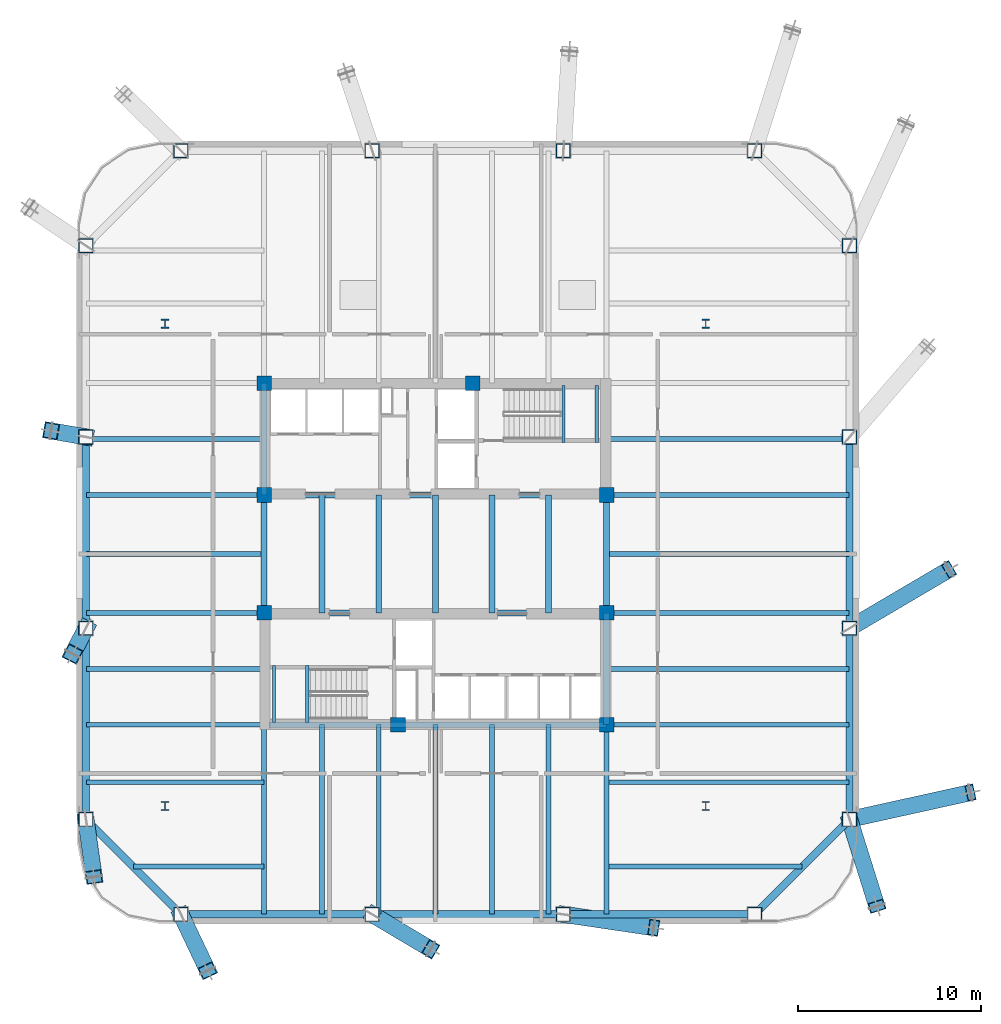
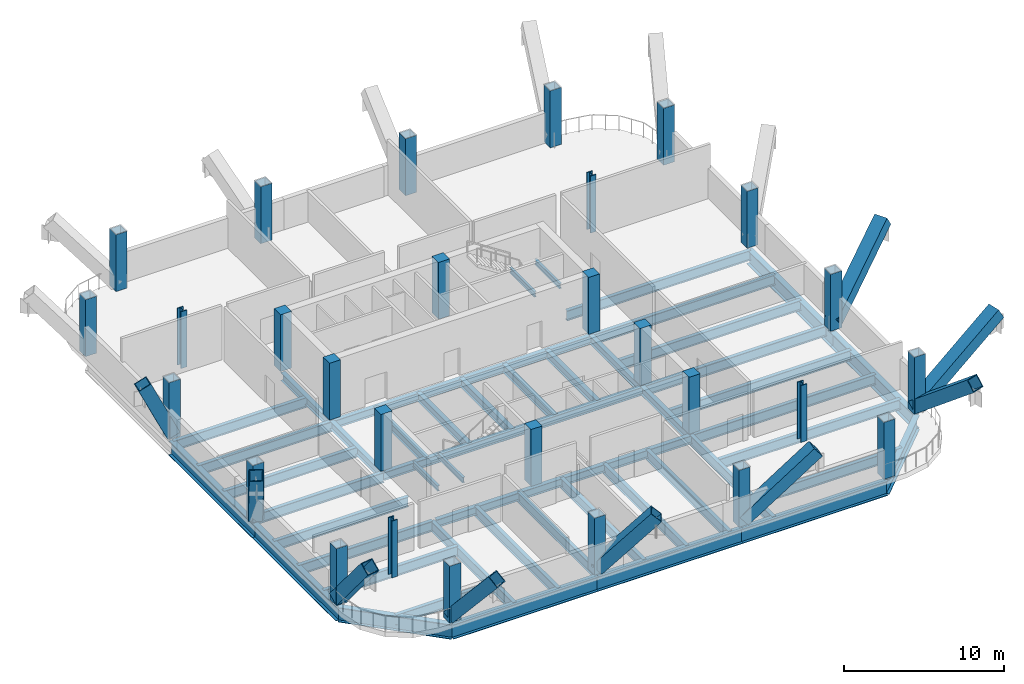
# One storey, part 1 of 8: 48 beams, 28 columns, 9 members.
"""IFC4 building model written with IfcOpenShell, lengths in metres."""

import ifcopenshell
import ifcopenshell.guid

model = None  # the IFC model being written
_history = None  # IfcOwnerHistory: only IFC2X3 demands one
_inside = {}  # id of a spatial element -> (the spatial element, [elements in it])
_under = {}  # id of a project, library or spatial element -> (it, [spatial elements below it])
_declared = {}  # id of a project -> (the project, [libraries it declares])
_typed = {}  # id of a type object -> (the type object, [elements of that type])
_made_of = {}  # id of a material, layer set ... -> (it, [elements and type objects made of it])


def new_model(schema):
    """Start an empty IFC model of exactly this schema.

    Asked for "IFC4X3", IfcOpenShell would pick the latest addendum, in which some entities
    have other attributes; the version numbers below select the first issue.
    IFC2X3 requires an IfcOwnerHistory on every rooted entity: one is made here for all.
    """
    global model, _history
    if schema == "IFC4X3":
        model = ifcopenshell.file(schema_version=(4, 3, 0, 0))
    else:
        model = ifcopenshell.file(schema=schema)
    _inside.clear()
    _under.clear()
    _declared.clear()
    _typed.clear()
    _made_of.clear()
    _history = None
    if model.schema == "IFC2X3":
        org = make("IfcOrganization", Name="unknown")
        user = make(
            "IfcPersonAndOrganization",
            ThePerson=make("IfcPerson", FamilyName="unknown"),
            TheOrganization=org,
        )
        app = make(
            "IfcApplication",
            ApplicationDeveloper=org,
            Version="unknown",
            ApplicationFullName="unknown",
            ApplicationIdentifier="unknown",
        )
        _history = make(
            "IfcOwnerHistory",
            OwningUser=user,
            OwningApplication=app,
            ChangeAction="ADDED",
            CreationDate=0,
        )
    return model


def make(cls, **values):
    """One entity of the class cls with the attributes given. An attribute that is None is left unset."""
    return model.create_entity(
        cls, **{name: value for name, value in values.items() if value is not None}
    )


def rooted(cls, **values):
    """An entity with a GlobalId (a new one), such as an element, a storey or a relation."""
    return make(cls, GlobalId=ifcopenshell.guid.new(), OwnerHistory=_history, **values)


def si_unit(unit_type, name, prefix=None):
    """IfcSIUnit, for example si_unit("LENGTHUNIT", "METRE", prefix="MILLI")."""
    return make("IfcSIUnit", UnitType=unit_type, Prefix=prefix, Name=name)


def assignment(units):
    """IfcUnitAssignment: the units of a project."""
    return None if units is None else make("IfcUnitAssignment", Units=units)


def point(xyz):
    """IfcCartesianPoint."""
    return None if xyz is None else make("IfcCartesianPoint", Coordinates=xyz)


def direction(xyz):
    """IfcDirection."""
    return None if xyz is None else make("IfcDirection", DirectionRatios=xyz)


def frame(location, z_axis=None, x_axis=None):
    """IfcAxis2Placement3D, a coordinate frame: its origin and axes. An axis left out is left unset."""
    return make(
        "IfcAxis2Placement3D",
        Location=point(location),
        Axis=direction(z_axis),
        RefDirection=direction(x_axis),
    )


def frame_2d(location, x_axis=None):
    """IfcAxis2Placement2D, a coordinate frame in the plane: its origin and x axis."""
    return make(
        "IfcAxis2Placement2D", Location=point(location), RefDirection=direction(x_axis)
    )


def origin():
    """The frame at (0, 0, 0) with its axes left unset."""
    return frame((0.0, 0.0, 0.0))


def origin_2d():
    """The frame at (0, 0) in the plane with its x axis left unset."""
    return frame_2d((0.0, 0.0))


def place(relative_to, where):
    """IfcLocalPlacement: puts the frame where relative to a parent placement (None: the world)."""
    return make(
        "IfcLocalPlacement", PlacementRelTo=relative_to, RelativePlacement=where
    )


def context(
    kind, dimensions, precision=None, world=None, true_north=None, identifier=None
):
    """IfcGeometricRepresentationContext, for example the 3D "Model" context."""
    return make(
        "IfcGeometricRepresentationContext",
        ContextIdentifier=identifier,
        ContextType=kind,
        CoordinateSpaceDimension=dimensions,
        Precision=precision,
        WorldCoordinateSystem=world,
        TrueNorth=true_north,
    )


def subcontext(parent, identifier, kind, view, scale=None):
    """IfcGeometricRepresentationSubContext, for example "Body" below "Model"."""
    return make(
        "IfcGeometricRepresentationSubContext",
        ContextIdentifier=identifier,
        ContextType=kind,
        ParentContext=parent,
        TargetScale=scale,
        TargetView=view,
    )


def project(units=None, contexts=None):
    """IfcProject with its units and contexts."""
    return rooted(
        "IfcProject",
        Name="project",
        RepresentationContexts=contexts,
        UnitsInContext=assignment(units),
    )


def spatial(cls, under=None, at=None, **own):
    """A site, building, storey or space (cls), placed at a placement, below another one or the project."""
    s = rooted(cls, ObjectPlacement=at, **own)
    if under is not None:
        _under.setdefault(under.id(), (under, []))[1].append(s)
    return s


def profile(cls, at=None, kind="AREA", **sizes):
    """A parametric profile (cls). Its sizes go by their IFC names, for example OverallWidth=200.0."""
    return make(cls, ProfileType=kind, Position=at, **sizes)


def rectangle(**sizes):
    """IfcRectangleProfileDef."""
    return profile("IfcRectangleProfileDef", **sizes)


def hollow_rectangle(**sizes):
    """IfcRectangleHollowProfileDef."""
    return profile("IfcRectangleHollowProfileDef", **sizes)


def i_section(**sizes):
    """IfcIShapeProfileDef."""
    return profile("IfcIShapeProfileDef", **sizes)


def extrude(swept, where, along, depth):
    """IfcExtrudedAreaSolid: the profile swept, set in the frame where, extruded along a direction by depth."""
    return make(
        "IfcExtrudedAreaSolid",
        SweptArea=swept,
        Position=where,
        ExtrudedDirection=direction(along),
        Depth=depth,
    )


def shape(context_of_items, identifier, shape_type, items):
    """IfcShapeRepresentation: the items that make up one representation, for example the "Body"."""
    return make(
        "IfcShapeRepresentation",
        ContextOfItems=context_of_items,
        RepresentationIdentifier=identifier,
        RepresentationType=shape_type,
        Items=items,
    )


def material(Name=None, Category=None):
    """IfcMaterial."""
    return make("IfcMaterial", Name=Name, Category=Category)


def material_profile(
    of_material, cross_section, Name=None, Category=None, Priority=None
):
    """IfcMaterialProfile: a cross section and its material."""
    return make(
        "IfcMaterialProfile",
        Name=Name,
        Material=of_material,
        Profile=cross_section,
        Priority=Priority,
        Category=Category,
    )


def profile_set(profiles, Name=None, composite=None):
    """IfcMaterialProfileSet."""
    return make(
        "IfcMaterialProfileSet",
        Name=Name,
        MaterialProfiles=profiles,
        CompositeProfile=composite,
    )


def made_of(thing, what):
    """Note that an element or type object is made of a material, layer set ...; save() writes the relation."""
    if what is not None:
        _made_of.setdefault(what.id(), (what, []))[1].append(thing)
    return thing


def type_object(cls, material=None, **own):
    """A type object (cls), such as IfcWallType, which elements share."""
    return made_of(rooted(cls, **own), material)


def element(
    cls,
    number,
    at=None,
    inside=None,
    cuts=None,
    type_object=None,
    material=None,
    context=None,
    identifier="Body",
    shape_type=None,
    held_by="IfcProductDefinitionShape",
    body=None,
    shapes=None,
    **own,
):
    """One element of the class cls, such as IfcWall. Its Tag is "e" and its number.

    at: its placement. inside: the storey or other place that contains it. cuts: it is an
    opening in that element (IfcRelVoidsElement). A single representation is given by context,
    identifier, shape_type and body (its items); several are given by shapes. held_by: the class
    of the entity that holds the representations. save() writes the other relations.
    """
    e = rooted(cls, Tag="e%d" % number, ObjectPlacement=at, **own)
    if body is not None:
        shapes = [shape(context, identifier, shape_type, body)]
    if shapes is not None:
        e.Representation = make(held_by, Representations=shapes)
    if inside is not None:
        _inside.setdefault(inside.id(), (inside, []))[1].append(e)
    if cuts is not None:
        rooted(
            "IfcRelVoidsElement", RelatingBuildingElement=cuts, RelatedOpeningElement=e
        )
    if type_object is not None:
        _typed.setdefault(type_object.id(), (type_object, []))[1].append(e)
    return made_of(e, material)


def aggregate(whole, parts):
    """IfcRelAggregates: a whole, such as a stair, and the parts it consists of."""
    return rooted("IfcRelAggregates", RelatingObject=whole, RelatedObjects=parts)


def save(model, path):
    """Write the relations noted so far, then the file.

    IfcRelAggregates (storeys below a building ...), IfcRelContainedInSpatialStructure (elements
    in a storey), IfcRelDefinesByType, IfcRelAssociatesMaterial and IfcRelDeclares: one each for
    every whole, place, type object, material and project.
    """
    for whole, parts in _under.values():
        aggregate(whole, parts)
    for where, things in _inside.values():
        rooted(
            "IfcRelContainedInSpatialStructure",
            RelatedElements=things,
            RelatingStructure=where,
        )
    for kind, things in _typed.values():
        rooted("IfcRelDefinesByType", RelatedObjects=things, RelatingType=kind)
    for what, things in _made_of.values():
        rooted("IfcRelAssociatesMaterial", RelatedObjects=things, RelatingMaterial=what)
    for by, libraries in _declared.values():
        rooted("IfcRelDeclares", RelatingContext=by, RelatedDefinitions=libraries)
    model.write(path)


model = new_model("IFC4")

# Units and contexts
model_context = context("Model", 3, precision=1e-05, world=origin(), true_north=direction((0.0, 1.0)))
body_context = subcontext(model_context, "Body", "Model", "MODEL_VIEW")
ifc_project = project(units=[si_unit("LENGTHUNIT", "METRE"), si_unit("AREAUNIT", "SQUARE_METRE"), si_unit("VOLUMEUNIT", "CUBIC_METRE"), si_unit("PLANEANGLEUNIT", "RADIAN"), si_unit("MASSUNIT", "GRAM", prefix="KILO")], contexts=[model_context])

# Site, building, storey
site_placement = place(None, origin())
site = spatial("IfcSite", under=ifc_project, at=site_placement, CompositionType="ELEMENT")
building_placement = place(site_placement, origin())
building = spatial("IfcBuilding", under=site, at=building_placement, Name="Qhalaya Broadcast Tower", CompositionType="ELEMENT")
storey_placement = place(building_placement, frame((0.0, 0.0, 65.10009765625)))
storey = spatial("IfcBuildingStorey", under=building, at=storey_placement, Name="L18", CompositionType="ELEMENT", Elevation=65.10009765625)

# Columns
ifc_material_1 = material(Name="Concrete C50/60", Category="concrete")
ifc_material_profile_1 = material_profile(ifc_material_1, rectangle(XDim=0.800048828125, YDim=0.800048828125, at=origin_2d()), Name="RC-COL 800x800")
ifc_profile_set_1 = profile_set([ifc_material_profile_1], Name="Concrete C50/60")
column_type_1 = type_object("IfcColumnType", Name="RC Upper Column C10", PredefinedType="COLUMN", material=ifc_profile_set_1)
for number, where, z_axis, x_axis, name in (
    (1, (-9.375, 9.949951171875, 0.0), (0.0, 0.0, 1.0), (1.0, 0.0, 0.0), "L18 Column COL-CC1"),
    (2, (2.050048828125, 9.949951171875, 0.0), (0.0, 0.0, 1.0), (1.0, 0.0, 0.0), "L18 Column COL-CC2"),
    (3, (-9.375, 3.824951171875, 0.0), (0.0, 0.0, 1.0), (1.0, 0.0, 0.0), "L18 Column COL-CC3"),
    (4, (9.375, 3.824951171875, 0.0), (0.0, 0.0, 1.0), (1.0, 0.0, 0.0), "L18 Column COL-CC4"),
    (5, (-9.375, -2.625, 0.0), (0.0, 0.0, 1.0), (1.0, 0.0, 0.0), "L18 Column COL-CC5"),
    (6, (9.375, -2.625, 0.0), (0.0, 0.0, 1.0), (1.0, 0.0, 0.0), "L18 Column COL-CC6"),
    (7, (-2.050048828125, -8.75, 0.0), (0.0, 0.0, 1.0), (1.0, 0.0, 0.0), "L18 Column COL-CC7"),
    (8, (9.375, -8.75, 0.0), (0.0, 0.0, 1.0), (1.0, 0.0, 0.0), "L18 Column COL-CC8"),
):
    element("IfcColumn", number, at=place(storey_placement, frame(where, z_axis=z_axis, x_axis=x_axis)), inside=storey, type_object=column_type_1, Name=name, PredefinedType="COLUMN", context=body_context, shape_type="SweptSolid", body=[
        extrude(rectangle(XDim=0.800048828125, YDim=0.800048828125, at=origin_2d()), origin(), (0.0, 0.0, 1.0), 4.349853515625),
    ])
ifc_material_2 = material(Name="Structural Steel ASTM A992 Grade 50", Category="steel")
ifc_material_profile_2 = material_profile(ifc_material_2, i_section(OverallWidth=0.41796875, OverallDepth=0.510009765625, WebThickness=0.0419921875, FlangeThickness=0.067626953125, at=origin_2d()), Name="W14X370")
ifc_profile_set_2 = profile_set([ifc_material_profile_2], Name="Structural Steel ASTM A992 Grade 50")
column_type_2 = type_object("IfcColumnType", Name="Rolled Gravity Column C06", PredefinedType="COLUMN", material=ifc_profile_set_2)
for number, where, z_axis, x_axis, name in (
    (9, (-14.800048828125, -13.199951171875, 0.0), (0.0, 0.0, 1.0), (1.0, 0.0, 0.0), "L18 Column COL-GR1"),
    (10, (14.800048828125, -13.199951171875, 0.0), (0.0, 0.0, 1.0), (1.0, 0.0, 0.0), "L18 Column COL-GR2"),
    (11, (-14.800048828125, 13.199951171875, 0.0), (0.0, 0.0, 1.0), (1.0, 0.0, 0.0), "L18 Column COL-GR3"),
    (12, (14.800048828125, 13.199951171875, 0.0), (0.0, 0.0, 1.0), (1.0, 0.0, 0.0), "L18 Column COL-GR4"),
):
    element("IfcColumn", number, at=place(storey_placement, frame(where, z_axis=z_axis, x_axis=x_axis)), inside=storey, type_object=column_type_2, Name=name, PredefinedType="COLUMN", context=body_context, shape_type="SweptSolid", body=[
        extrude(i_section(OverallWidth=0.41796875, OverallDepth=0.510009765625, WebThickness=0.0419921875, FlangeThickness=0.067626953125, at=origin_2d()), origin(), (0.0, 0.0, 1.0), 4.349853515625),
    ])
ifc_material_3 = material(Name="Structural Steel ASTM A572 Grade 50", Category="steel")
ifc_material_profile_3 = material_profile(ifc_material_3, hollow_rectangle(XDim=0.800048828125, YDim=0.800048828125, WallThickness=0.050048828125, at=origin_2d()), Name="BOX 800x800x50")
ifc_profile_set_3 = profile_set([ifc_material_profile_3], Name="Structural Steel ASTM A572 Grade 50")
column_type_3 = type_object("IfcColumnType", Name="Steel Box Column C03", PredefinedType="COLUMN", material=ifc_profile_set_3)
for number, where, z_axis, x_axis, name in (
    (13, (-13.929931640625, -19.1298828125, 0.0), (0.0, 0.0, 1.0), (1.0, 0.0, 0.0), "L18 Column COL-NK01"),
    (14, (-3.46337890625, -19.1298828125, 0.0), (0.0, 0.0, 1.0), (1.0, 0.0, 0.0), "L18 Column COL-NK02"),
    (15, (7.00341796875, -19.1298828125, 0.0), (0.0, 0.0, 1.0), (1.0, 0.0, 0.0), "L18 Column COL-NK03"),
    (16, (17.469970703125, -19.1298828125, 0.0), (0.0, 0.0, 1.0), (1.0, 0.0, 0.0), "L18 Column COL-NK04"),
    (17, (22.669921875, -13.929931640625, 0.0), (0.0, 0.0, 1.0), (0.0, 1.0, 0.0), "L18 Column COL-NK05"),
    (18, (22.669921875, -3.46337890625, 0.0), (0.0, 0.0, 1.0), (0.0, 1.0, 0.0), "L18 Column COL-NK06"),
    (19, (22.669921875, 7.00341796875, 0.0), (0.0, 0.0, 1.0), (0.0, 1.0, 0.0), "L18 Column COL-NK07"),
    (20, (22.669921875, 17.469970703125, 0.0), (0.0, 0.0, 1.0), (0.0, 1.0, 0.0), "L18 Column COL-NK08"),
    (21, (17.469970703125, 22.669921875, 0.0), (0.0, 0.0, 1.0), (1.0, 0.0, 0.0), "L18 Column COL-NK09"),
    (22, (7.00341796875, 22.669921875, 0.0), (0.0, 0.0, 1.0), (1.0, 0.0, 0.0), "L18 Column COL-NK10"),
    (23, (-3.46337890625, 22.669921875, 0.0), (0.0, 0.0, 1.0), (1.0, 0.0, 0.0), "L18 Column COL-NK11"),
    (24, (-13.929931640625, 22.669921875, 0.0), (0.0, 0.0, 1.0), (1.0, 0.0, 0.0), "L18 Column COL-NK12"),
    (25, (-19.1298828125, 17.469970703125, 0.0), (0.0, 0.0, 1.0), (0.0, 1.0, 0.0), "L18 Column COL-NK13"),
    (26, (-19.1298828125, 7.00341796875, 0.0), (0.0, 0.0, 1.0), (0.0, 1.0, 0.0), "L18 Column COL-NK14"),
    (27, (-19.1298828125, -3.46337890625, 0.0), (0.0, 0.0, 1.0), (0.0, 1.0, 0.0), "L18 Column COL-NK15"),
    (28, (-19.1298828125, -13.929931640625, 0.0), (0.0, 0.0, 1.0), (0.0, 1.0, 0.0), "L18 Column COL-NK16"),
):
    element("IfcColumn", number, at=place(storey_placement, frame(where, z_axis=z_axis, x_axis=x_axis)), inside=storey, type_object=column_type_3, Name=name, PredefinedType="COLUMN", context=body_context, shape_type="SweptSolid", body=[
        extrude(hollow_rectangle(XDim=0.800048828125, YDim=0.800048828125, WallThickness=0.050048828125, at=origin_2d()), origin(), (0.0, 0.0, 1.0), 4.349853515625),
    ])

# Beams
ifc_material_profile_4 = material_profile(ifc_material_2, i_section(OverallWidth=0.323974609375, OverallDepth=0.612060546875, WebThickness=0.0126953125, FlangeThickness=0.01904296875, at=origin_2d()), Name="W24X104")
ifc_profile_set_4 = profile_set([ifc_material_profile_4], Name="Structural Steel ASTM A992 Grade 50")
beam_type_1 = type_object("IfcBeamType", Name="Core Frame Tie Beam B04", PredefinedType="BEAM", material=ifc_profile_set_4)
beam_1_placement = place(storey_placement, frame((-9.375, 3.824951171875, -0.68603515625), z_axis=(1.0, 0.0, 0.0), x_axis=(0.0, 1.0, 0.0)))
element("IfcBeam", 29, at=beam_1_placement, inside=storey, type_object=beam_type_1, Name="L18 B04 L18-CCN1", PredefinedType="BEAM", context=body_context, shape_type="SweptSolid", body=[
    extrude(i_section(OverallWidth=0.323974609375, OverallDepth=0.612060546875, WebThickness=0.0126953125, FlangeThickness=0.01904296875, at=origin_2d()), origin(), (0.0, 0.0, 1.0), 18.75),
])
beam_2_placement = place(storey_placement, frame((-9.375, 3.824951171875, -0.68603515625), z_axis=(0.0, 1.0, 0.0), x_axis=(-1.0, 0.0, 0.0)))
element("IfcBeam", 30, at=beam_2_placement, inside=storey, type_object=beam_type_1, Name="L18 B04 L18-CCN2", PredefinedType="BEAM", context=body_context, shape_type="SweptSolid", body=[
    extrude(i_section(OverallWidth=0.323974609375, OverallDepth=0.612060546875, WebThickness=0.0126953125, FlangeThickness=0.01904296875, at=origin_2d()), origin(), (0.0, 0.0, 1.0), 6.125),
])
beam_3_placement = place(storey_placement, frame((-9.375, -2.625, -0.68603515625), z_axis=(1.0, 0.0, 0.0), x_axis=(0.0, 1.0, 0.0)))
element("IfcBeam", 31, at=beam_3_placement, inside=storey, type_object=beam_type_1, Name="L18 B04 L18-CCS1", PredefinedType="BEAM", context=body_context, shape_type="SweptSolid", body=[
    extrude(i_section(OverallWidth=0.323974609375, OverallDepth=0.612060546875, WebThickness=0.0126953125, FlangeThickness=0.01904296875, at=origin_2d()), origin(), (0.0, 0.0, 1.0), 18.75),
])
beam_4_placement = place(storey_placement, frame((9.375, -8.75, -0.68603515625), z_axis=(0.0, 1.0, 0.0), x_axis=(-1.0, 0.0, 0.0)))
element("IfcBeam", 32, at=beam_4_placement, inside=storey, type_object=beam_type_1, Name="L18 B04 L18-CCS2", PredefinedType="BEAM", context=body_context, shape_type="SweptSolid", body=[
    extrude(i_section(OverallWidth=0.323974609375, OverallDepth=0.612060546875, WebThickness=0.0126953125, FlangeThickness=0.01904296875, at=origin_2d()), origin(), (0.0, 0.0, 1.0), 6.125),
])
beam_5_placement = place(storey_placement, frame((-9.1201171875, -8.75, -0.68603515625), z_axis=(1.0, 0.0, 0.0), x_axis=(0.0, 1.0, 0.0)))
element("IfcBeam", 33, at=beam_5_placement, inside=storey, type_object=beam_type_1, Name="L18 B04 L18-CCS3", PredefinedType="BEAM", context=body_context, shape_type="SweptSolid", body=[
    extrude(i_section(OverallWidth=0.323974609375, OverallDepth=0.612060546875, WebThickness=0.0126953125, FlangeThickness=0.01904296875, at=origin_2d()), origin(), (0.0, 0.0, 1.0), 18.4951171875),
])
for number, where, z_axis, x_axis, name in (
    (34, (-9.375, -2.625, -0.68603515625), (0.0, 1.0, 0.0), (-1.0, 0.0, 0.0), "L18 B04 L18-CCW"),
    (35, (9.375, -2.625, -0.68603515625), (0.0, 1.0, 0.0), (-1.0, 0.0, 0.0), "L18 B04 L18-CCE"),
    (36, (-6.199951171875, -2.625, -0.68603515625), (0.0, 1.0, 0.0), (-1.0, 0.0, 0.0), "L18 B04 L18-JC1-1"),
    (37, (-3.10009765625, -2.625, -0.68603515625), (0.0, 1.0, 0.0), (-1.0, 0.0, 0.0), "L18 B04 L18-JC2-1"),
    (38, (0.0, -2.625, -0.68603515625), (0.0, 1.0, 0.0), (-1.0, 0.0, 0.0), "L18 B04 L18-JC3-1"),
    (39, (3.10009765625, -2.625, -0.68603515625), (0.0, 1.0, 0.0), (-1.0, 0.0, 0.0), "L18 B04 L18-JC4-1"),
    (40, (6.199951171875, -2.625, -0.68603515625), (0.0, 1.0, 0.0), (-1.0, 0.0, 0.0), "L18 B04 L18-JC5-1"),
):
    element("IfcBeam", number, at=place(storey_placement, frame(where, z_axis=z_axis, x_axis=x_axis)), inside=storey, type_object=beam_type_1, Name=name, PredefinedType="BEAM", context=body_context, shape_type="SweptSolid", body=[
        extrude(i_section(OverallWidth=0.323974609375, OverallDepth=0.612060546875, WebThickness=0.0126953125, FlangeThickness=0.01904296875, at=origin_2d()), origin(), (0.0, 0.0, 1.0), 6.449951171875),
    ])

# Members
ifc_material_profile_5 = material_profile(ifc_material_3, hollow_rectangle(XDim=0.89990234375, YDim=0.89990234375, WallThickness=0.054931640625, at=origin_2d()), Name="BOX 900x900x55")
ifc_profile_set_5 = profile_set([ifc_material_profile_5], Name="Structural Steel ASTM A572 Grade 50")
member_type = type_object("IfcMemberType", Name="Heavy Exoskeleton Transfer Strut RK1", PredefinedType="BRACE", material=ifc_profile_set_5)
member_1_placement = place(storey_placement, frame((-13.929931640625, -19.1298828125, 0.2998046875), z_axis=(0.276529713083, -0.582053790149, 0.764686016059), x_axis=(0.903244927142, 0.429125391457, 0.0)))
element("IfcMember", 41, at=member_1_placement, inside=storey, type_object=member_type, Name="L18 Inclined Exoskeleton Transfer Strut 01", PredefinedType="BRACE", context=body_context, shape_type="SweptSolid", body=[
    extrude(hollow_rectangle(XDim=0.89990234375, YDim=0.89990234375, WallThickness=0.054931640625, at=origin_2d()), origin(), (0.0, 0.0, 1.0), 5.29638671875),
])
member_2_placement = place(storey_placement, frame((-3.46337890625, -19.1298828125, 0.3154296875), z_axis=(0.583742863062, -0.346976295821, 0.734065201438), x_axis=(0.510951301552, 0.859609659928, 0.0)))
element("IfcMember", 42, at=member_2_placement, inside=storey, type_object=member_type, Name="L18 Inclined Exoskeleton Transfer Strut 02", PredefinedType="BRACE", context=body_context, shape_type="SweptSolid", body=[
    extrude(hollow_rectangle(XDim=0.89990234375, YDim=0.89990234375, WallThickness=0.054931640625, at=origin_2d()), origin(), (0.0, 0.0, 1.0), 5.49609375),
])
member_3_placement = place(storey_placement, frame((7.00341796875, -19.1298828125, 0.36181640625), z_axis=(0.773715473318, -0.114252925875, 0.62314575765), x_axis=(0.146083735556, 0.989272228563, 0.0)))
element("IfcMember", 43, at=member_3_placement, inside=storey, type_object=member_type, Name="L18 Inclined Exoskeleton Transfer Strut 03", PredefinedType="BRACE", context=body_context, shape_type="SweptSolid", body=[
    extrude(hollow_rectangle(XDim=0.89990234375, YDim=0.89990234375, WallThickness=0.054931640625, at=origin_2d()), origin(), (0.0, 0.0, 1.0), 6.39990234375),
])
member_4_placement = place(storey_placement, frame((22.669921875, -13.929931640625, 0.361328125), z_axis=(0.234221830623, -0.744882781828, 0.624731762756), x_axis=(0.953951283213, 0.299961579633, 0.0)))
element("IfcMember", 44, at=member_4_placement, inside=storey, type_object=member_type, Name="L18 Inclined Exoskeleton Transfer Strut 04", PredefinedType="BRACE", context=body_context, shape_type="SweptSolid", body=[
    extrude(hollow_rectangle(XDim=0.89990234375, YDim=0.89990234375, WallThickness=0.054931640625, at=origin_2d()), origin(), (0.0, 0.0, 1.0), 6.38427734375),
])
member_5_placement = place(storey_placement, frame((22.669921875, -13.929931640625, 0.398681640625), z_axis=(0.843688740847, 0.186584411868, 0.503364247654), x_axis=(-0.215935605407, 0.976407606647, 0.0)))
element("IfcMember", 45, at=member_5_placement, inside=storey, type_object=member_type, Name="L18 Inclined Exoskeleton Transfer Strut 05", PredefinedType="BRACE", context=body_context, shape_type="SweptSolid", body=[
    extrude(hollow_rectangle(XDim=0.89990234375, YDim=0.89990234375, WallThickness=0.054931640625, at=origin_2d()), origin(), (0.0, 0.0, 1.0), 7.849609375),
])
member_6_placement = place(storey_placement, frame((22.669921875, -3.46337890625, 0.391357421875), z_axis=(0.730288314037, 0.430133957902, 0.530720036027), x_axis=(-0.507504433682, 0.861649145414, 0.0)))
element("IfcMember", 46, at=member_6_placement, inside=storey, type_object=member_type, Name="L18 Inclined Exoskeleton Transfer Strut 06", PredefinedType="BRACE", context=body_context, shape_type="SweptSolid", body=[
    extrude(hollow_rectangle(XDim=0.89990234375, YDim=0.89990234375, WallThickness=0.054931640625, at=origin_2d()), origin(), (0.0, 0.0, 1.0), 7.458740234375),
])
member_7_placement = place(storey_placement, frame((-19.1298828125, 7.00341796875, 0.2001953125), z_axis=(-0.416471707614, 0.072459998803, 0.906256511883), x_axis=(-0.171410372135, -0.985199717988, 0.0)))
element("IfcMember", 47, at=member_7_placement, inside=storey, type_object=member_type, Name="L18 Inclined Exoskeleton Transfer Strut 14", PredefinedType="BRACE", context=body_context, shape_type="SweptSolid", body=[
    extrude(hollow_rectangle(XDim=0.89990234375, YDim=0.89990234375, WallThickness=0.054931640625, at=origin_2d()), origin(), (0.0, 0.0, 1.0), 4.578857421875),
])
member_8_placement = place(storey_placement, frame((-19.1298828125, -3.46337890625, 0.169921875), z_axis=(-0.163504995244, -0.315654718697, 0.934680809204), x_axis=(0.887947371833, -0.459945067215, 0.0)))
element("IfcMember", 48, at=member_8_placement, inside=storey, type_object=member_type, Name="L18 Inclined Exoskeleton Transfer Strut 15", PredefinedType="BRACE", context=body_context, shape_type="SweptSolid", body=[
    extrude(hollow_rectangle(XDim=0.89990234375, YDim=0.89990234375, WallThickness=0.054931640625, at=origin_2d()), origin(), (0.0, 0.0, 1.0), 4.471923828125),
])
member_9_placement = place(storey_placement, frame((-19.1298828125, -13.929931640625, 0.28759765625), z_axis=(0.086063939246, -0.611148544401, 0.786823013795), x_axis=(0.9902294856, 0.139447358696, 0.0)))
element("IfcMember", 49, at=member_9_placement, inside=storey, type_object=member_type, Name="L18 Inclined Exoskeleton Transfer Strut 16", PredefinedType="BRACE", context=body_context, shape_type="SweptSolid", body=[
    extrude(hollow_rectangle(XDim=0.89990234375, YDim=0.89990234375, WallThickness=0.054931640625, at=origin_2d()), origin(), (0.0, 0.0, 1.0), 5.162841796875),
])

# Beams
ifc_material_profile_6 = material_profile(ifc_material_2, i_section(OverallWidth=0.26708984375, OverallDepth=0.780029296875, WebThickness=0.0166015625, FlangeThickness=0.030029296875, at=origin_2d()), Name="W30X148")
ifc_profile_set_6 = profile_set([ifc_material_profile_6], Name="Structural Steel ASTM A992 Grade 50")
beam_type_2 = type_object("IfcBeamType", Name="Neck & Crown Primary Girder PG5", PredefinedType="USERDEFINED", material=ifc_profile_set_6)
for number, where, z_axis, x_axis, name in (
    (50, (-9.375, -19.110107421875, -0.77001953125), (0.0, 1.0, 0.0), (-1.0, 0.0, 0.0), "L18 PG5 L18-PGXS1-1"),
    (51, (9.375, -19.110107421875, -0.77001953125), (0.0, 1.0, 0.0), (-1.0, 0.0, 0.0), "L18 PG5 L18-PGXS2-1"),
):
    element("IfcBeam", number, at=place(storey_placement, frame(where, z_axis=z_axis, x_axis=x_axis)), inside=storey, type_object=beam_type_2, Name=name, ObjectType="GIRDER", PredefinedType="USERDEFINED", context=body_context, shape_type="SweptSolid", body=[
        extrude(i_section(OverallWidth=0.26708984375, OverallDepth=0.780029296875, WebThickness=0.0166015625, FlangeThickness=0.030029296875, at=origin_2d()), origin(), (0.0, 0.0, 1.0), 10.360107421875),
    ])
beam_6_placement = place(storey_placement, frame((-19.110107421875, -8.75, -0.77001953125), z_axis=(1.0, 0.0, 0.0), x_axis=(0.0, 1.0, 0.0)))
element("IfcBeam", 52, at=beam_6_placement, inside=storey, type_object=beam_type_2, Name="L18 PG5 L18-PGYW1-1", ObjectType="GIRDER", PredefinedType="USERDEFINED", context=body_context, shape_type="SweptSolid", body=[
    extrude(i_section(OverallWidth=0.26708984375, OverallDepth=0.780029296875, WebThickness=0.0166015625, FlangeThickness=0.030029296875, at=origin_2d()), origin(), (0.0, 0.0, 1.0), 9.735107421875),
])
beam_7_placement = place(storey_placement, frame((9.375, -8.75, -0.77001953125), z_axis=(1.0, 0.0, 0.0), x_axis=(0.0, 1.0, 0.0)))
element("IfcBeam", 53, at=beam_7_placement, inside=storey, type_object=beam_type_2, Name="L18 PG5 L18-PGYE1-1", ObjectType="GIRDER", PredefinedType="USERDEFINED", context=body_context, shape_type="SweptSolid", body=[
    extrude(i_section(OverallWidth=0.26708984375, OverallDepth=0.780029296875, WebThickness=0.0166015625, FlangeThickness=0.030029296875, at=origin_2d()), origin(), (0.0, 0.0, 1.0), 13.27490234375),
])
beam_8_placement = place(storey_placement, frame((-19.110107421875, -2.625, -0.77001953125), z_axis=(1.0, 0.0, 0.0), x_axis=(0.0, 1.0, 0.0)))
element("IfcBeam", 54, at=beam_8_placement, inside=storey, type_object=beam_type_2, Name="L18 PG5 L18-PGYW2-1", ObjectType="GIRDER", PredefinedType="USERDEFINED", context=body_context, shape_type="SweptSolid", body=[
    extrude(i_section(OverallWidth=0.26708984375, OverallDepth=0.780029296875, WebThickness=0.0166015625, FlangeThickness=0.030029296875, at=origin_2d()), origin(), (0.0, 0.0, 1.0), 9.735107421875),
])
beam_9_placement = place(storey_placement, frame((9.375, -2.625, -0.77001953125), z_axis=(1.0, 0.0, 0.0), x_axis=(0.0, 1.0, 0.0)))
element("IfcBeam", 55, at=beam_9_placement, inside=storey, type_object=beam_type_2, Name="L18 PG5 L18-PGYE2-1", ObjectType="GIRDER", PredefinedType="USERDEFINED", context=body_context, shape_type="SweptSolid", body=[
    extrude(i_section(OverallWidth=0.26708984375, OverallDepth=0.780029296875, WebThickness=0.0166015625, FlangeThickness=0.030029296875, at=origin_2d()), origin(), (0.0, 0.0, 1.0), 13.27490234375),
])
beam_10_placement = place(storey_placement, frame((-19.110107421875, 3.824951171875, -0.77001953125), z_axis=(1.0, 0.0, 0.0), x_axis=(0.0, 1.0, 0.0)))
element("IfcBeam", 56, at=beam_10_placement, inside=storey, type_object=beam_type_2, Name="L18 PG5 L18-PGYW3-1", ObjectType="GIRDER", PredefinedType="USERDEFINED", context=body_context, shape_type="SweptSolid", body=[
    extrude(i_section(OverallWidth=0.26708984375, OverallDepth=0.780029296875, WebThickness=0.0166015625, FlangeThickness=0.030029296875, at=origin_2d()), origin(), (0.0, 0.0, 1.0), 9.735107421875),
])
beam_11_placement = place(storey_placement, frame((9.375, 3.824951171875, -0.77001953125), z_axis=(1.0, 0.0, 0.0), x_axis=(0.0, 1.0, 0.0)))
element("IfcBeam", 57, at=beam_11_placement, inside=storey, type_object=beam_type_2, Name="L18 PG5 L18-PGYE3-1", ObjectType="GIRDER", PredefinedType="USERDEFINED", context=body_context, shape_type="SweptSolid", body=[
    extrude(i_section(OverallWidth=0.26708984375, OverallDepth=0.780029296875, WebThickness=0.0166015625, FlangeThickness=0.030029296875, at=origin_2d()), origin(), (0.0, 0.0, 1.0), 13.27490234375),
])
ifc_material_profile_7 = material_profile(ifc_material_2, i_section(OverallWidth=0.26708984375, OverallDepth=0.761962890625, WebThickness=0.014404296875, FlangeThickness=0.021484375, at=origin_2d()), Name="W30X116")
ifc_profile_set_7 = profile_set([ifc_material_profile_7], Name="Structural Steel ASTM A992 Grade 50")
beam_type_3 = type_object("IfcBeamType", Name="Plant & Server Floor Beam B02", PredefinedType="BEAM", material=ifc_profile_set_7)
for number, where, z_axis, x_axis, name in (
    (58, (-6.199951171875, -19.110107421875, -0.760986328125), (0.0, 1.0, 0.0), (-1.0, 0.0, 0.0), "L18 B02 L18-JNS1-1"),
    (59, (-3.10009765625, -19.110107421875, -0.760986328125), (0.0, 1.0, 0.0), (-1.0, 0.0, 0.0), "L18 B02 L18-JNS2-1"),
    (60, (0.0, -19.110107421875, -0.760986328125), (0.0, 1.0, 0.0), (-1.0, 0.0, 0.0), "L18 B02 L18-JNS3-1"),
    (61, (3.10009765625, -19.110107421875, -0.760986328125), (0.0, 1.0, 0.0), (-1.0, 0.0, 0.0), "L18 B02 L18-JNS4-1"),
    (62, (6.199951171875, -19.110107421875, -0.760986328125), (0.0, 1.0, 0.0), (-1.0, 0.0, 0.0), "L18 B02 L18-JNS5-1"),
):
    element("IfcBeam", number, at=place(storey_placement, frame(where, z_axis=z_axis, x_axis=x_axis)), inside=storey, type_object=beam_type_3, Name=name, PredefinedType="BEAM", context=body_context, shape_type="SweptSolid", body=[
        extrude(i_section(OverallWidth=0.26708984375, OverallDepth=0.761962890625, WebThickness=0.014404296875, FlangeThickness=0.021484375, at=origin_2d()), origin(), (0.0, 0.0, 1.0), 10.360107421875),
    ])
beam_12_placement = place(storey_placement, frame((-16.53173828125, -16.5, -0.760986328125), z_axis=(1.0, 0.0, 0.0), x_axis=(0.0, 1.0, 0.0)))
element("IfcBeam", 63, at=beam_12_placement, inside=storey, type_object=beam_type_3, Name="L18 B02 L18-JWE1W-1", PredefinedType="BEAM", context=body_context, shape_type="SweptSolid", body=[
    extrude(i_section(OverallWidth=0.26708984375, OverallDepth=0.761962890625, WebThickness=0.014404296875, FlangeThickness=0.021484375, at=origin_2d()), origin(), (0.0, 0.0, 1.0), 7.15673828125),
])
beam_13_placement = place(storey_placement, frame((9.375, -16.5, -0.760986328125), z_axis=(1.0, 0.0, 0.0), x_axis=(0.0, 1.0, 0.0)))
element("IfcBeam", 64, at=beam_13_placement, inside=storey, type_object=beam_type_3, Name="L18 B02 L18-JWE1E-1", PredefinedType="BEAM", context=body_context, shape_type="SweptSolid", body=[
    extrude(i_section(OverallWidth=0.26708984375, OverallDepth=0.761962890625, WebThickness=0.014404296875, FlangeThickness=0.021484375, at=origin_2d()), origin(), (0.0, 0.0, 1.0), 10.69677734375),
])
beam_14_placement = place(storey_placement, frame((-19.110107421875, -11.89990234375, -0.760986328125), z_axis=(1.0, 0.0, 0.0), x_axis=(0.0, 1.0, 0.0)))
element("IfcBeam", 65, at=beam_14_placement, inside=storey, type_object=beam_type_3, Name="L18 B02 L18-JWE2W-1", PredefinedType="BEAM", context=body_context, shape_type="SweptSolid", body=[
    extrude(i_section(OverallWidth=0.26708984375, OverallDepth=0.761962890625, WebThickness=0.014404296875, FlangeThickness=0.021484375, at=origin_2d()), origin(), (0.0, 0.0, 1.0), 9.735107421875),
])
beam_15_placement = place(storey_placement, frame((9.375, -11.89990234375, -0.760986328125), z_axis=(1.0, 0.0, 0.0), x_axis=(0.0, 1.0, 0.0)))
element("IfcBeam", 66, at=beam_15_placement, inside=storey, type_object=beam_type_3, Name="L18 B02 L18-JWE2E-1", PredefinedType="BEAM", context=body_context, shape_type="SweptSolid", body=[
    extrude(i_section(OverallWidth=0.26708984375, OverallDepth=0.761962890625, WebThickness=0.014404296875, FlangeThickness=0.021484375, at=origin_2d()), origin(), (0.0, 0.0, 1.0), 13.27490234375),
])
beam_16_placement = place(storey_placement, frame((-19.110107421875, -5.699951171875, -0.760986328125), z_axis=(1.0, 0.0, 0.0), x_axis=(0.0, 1.0, 0.0)))
element("IfcBeam", 67, at=beam_16_placement, inside=storey, type_object=beam_type_3, Name="L18 B02 L18-JWE3W-1", PredefinedType="BEAM", context=body_context, shape_type="SweptSolid", body=[
    extrude(i_section(OverallWidth=0.26708984375, OverallDepth=0.761962890625, WebThickness=0.014404296875, FlangeThickness=0.021484375, at=origin_2d()), origin(), (0.0, 0.0, 1.0), 9.735107421875),
])
beam_17_placement = place(storey_placement, frame((9.375, -5.699951171875, -0.760986328125), z_axis=(1.0, 0.0, 0.0), x_axis=(0.0, 1.0, 0.0)))
element("IfcBeam", 68, at=beam_17_placement, inside=storey, type_object=beam_type_3, Name="L18 B02 L18-JWE3E-1", PredefinedType="BEAM", context=body_context, shape_type="SweptSolid", body=[
    extrude(i_section(OverallWidth=0.26708984375, OverallDepth=0.761962890625, WebThickness=0.014404296875, FlangeThickness=0.021484375, at=origin_2d()), origin(), (0.0, 0.0, 1.0), 13.27490234375),
])
beam_18_placement = place(storey_placement, frame((-19.110107421875, 0.60009765625, -0.760986328125), z_axis=(1.0, 0.0, 0.0), x_axis=(0.0, 1.0, 0.0)))
element("IfcBeam", 69, at=beam_18_placement, inside=storey, type_object=beam_type_3, Name="L18 B02 L18-JWE4W-1", PredefinedType="BEAM", context=body_context, shape_type="SweptSolid", body=[
    extrude(i_section(OverallWidth=0.26708984375, OverallDepth=0.761962890625, WebThickness=0.014404296875, FlangeThickness=0.021484375, at=origin_2d()), origin(), (0.0, 0.0, 1.0), 9.735107421875),
])
beam_19_placement = place(storey_placement, frame((9.375, 0.60009765625, -0.760986328125), z_axis=(1.0, 0.0, 0.0), x_axis=(0.0, 1.0, 0.0)))
element("IfcBeam", 70, at=beam_19_placement, inside=storey, type_object=beam_type_3, Name="L18 B02 L18-JWE4E-1", PredefinedType="BEAM", context=body_context, shape_type="SweptSolid", body=[
    extrude(i_section(OverallWidth=0.26708984375, OverallDepth=0.761962890625, WebThickness=0.014404296875, FlangeThickness=0.021484375, at=origin_2d()), origin(), (0.0, 0.0, 1.0), 13.27490234375),
])
beam_20_placement = place(storey_placement, frame((-19.110107421875, 6.89990234375, -0.760986328125), z_axis=(1.0, 0.0, 0.0), x_axis=(0.0, 1.0, 0.0)))
element("IfcBeam", 71, at=beam_20_placement, inside=storey, type_object=beam_type_3, Name="L18 B02 L18-JWE5W-1", PredefinedType="BEAM", context=body_context, shape_type="SweptSolid", body=[
    extrude(i_section(OverallWidth=0.26708984375, OverallDepth=0.761962890625, WebThickness=0.014404296875, FlangeThickness=0.021484375, at=origin_2d()), origin(), (0.0, 0.0, 1.0), 9.735107421875),
])
beam_21_placement = place(storey_placement, frame((9.375, 6.89990234375, -0.760986328125), z_axis=(1.0, 0.0, 0.0), x_axis=(0.0, 1.0, 0.0)))
element("IfcBeam", 72, at=beam_21_placement, inside=storey, type_object=beam_type_3, Name="L18 B02 L18-JWE5E-1", PredefinedType="BEAM", context=body_context, shape_type="SweptSolid", body=[
    extrude(i_section(OverallWidth=0.26708984375, OverallDepth=0.761962890625, WebThickness=0.014404296875, FlangeThickness=0.021484375, at=origin_2d()), origin(), (0.0, 0.0, 1.0), 13.27490234375),
])
ifc_material_profile_8 = material_profile(ifc_material_2, i_section(OverallWidth=0.404052734375, OverallDepth=1.117919921875, WebThickness=0.026123046875, FlangeThickness=0.044921875, at=origin_2d()), Name="W44X335")
ifc_profile_set_8 = profile_set([ifc_material_profile_8], Name="Structural Steel ASTM A992 Grade 50")
beam_type_4 = type_object("IfcBeamType", Name="Podium Long-Span Primary Girder PG1", PredefinedType="USERDEFINED", material=ifc_profile_set_8)
beam_22_placement = place(storey_placement, frame((-13.929931640625, -19.1298828125, -0.939208984375), z_axis=(1.0, 0.0, 0.0), x_axis=(0.0, 1.0, 0.0)))
element("IfcBeam", 73, at=beam_22_placement, inside=storey, type_object=beam_type_4, Name="L18 PG1 L18-SPR-01", ObjectType="GIRDER", PredefinedType="USERDEFINED", context=body_context, shape_type="SweptSolid", body=[
    extrude(i_section(OverallWidth=0.404052734375, OverallDepth=1.117919921875, WebThickness=0.026123046875, FlangeThickness=0.044921875, at=origin_2d()), origin(), (0.0, 0.0, 1.0), 10.466552734375),
])
beam_23_placement = place(storey_placement, frame((-3.46337890625, -19.1298828125, -0.939208984375), z_axis=(1.0, 0.0, 0.0), x_axis=(0.0, 1.0, 0.0)))
element("IfcBeam", 74, at=beam_23_placement, inside=storey, type_object=beam_type_4, Name="L18 PG1 L18-SPR-02", ObjectType="GIRDER", PredefinedType="USERDEFINED", context=body_context, shape_type="SweptSolid", body=[
    extrude(i_section(OverallWidth=0.404052734375, OverallDepth=1.117919921875, WebThickness=0.026123046875, FlangeThickness=0.044921875, at=origin_2d()), origin(), (0.0, 0.0, 1.0), 10.466796875),
])
beam_24_placement = place(storey_placement, frame((7.00341796875, -19.1298828125, -0.939208984375), z_axis=(1.0, 0.0, 0.0), x_axis=(0.0, 1.0, 0.0)))
element("IfcBeam", 75, at=beam_24_placement, inside=storey, type_object=beam_type_4, Name="L18 PG1 L18-SPR-03", ObjectType="GIRDER", PredefinedType="USERDEFINED", context=body_context, shape_type="SweptSolid", body=[
    extrude(i_section(OverallWidth=0.404052734375, OverallDepth=1.117919921875, WebThickness=0.026123046875, FlangeThickness=0.044921875, at=origin_2d()), origin(), (0.0, 0.0, 1.0), 10.466552734375),
])
beam_25_placement = place(storey_placement, frame((17.469970703125, -19.1298828125, -0.939208984375), z_axis=(0.707106781187, 0.707106781187, 0.0), x_axis=(-0.707106781187, 0.707106781187, 0.0)))
element("IfcBeam", 76, at=beam_25_placement, inside=storey, type_object=beam_type_4, Name="L18 PG1 L18-SPR-04", ObjectType="GIRDER", PredefinedType="USERDEFINED", context=body_context, shape_type="SweptSolid", body=[
    extrude(i_section(OverallWidth=0.404052734375, OverallDepth=1.117919921875, WebThickness=0.026123046875, FlangeThickness=0.044921875, at=origin_2d()), origin(), (0.0, 0.0, 1.0), 7.353759765625),
])
beam_26_placement = place(storey_placement, frame((22.669921875, -13.929931640625, -0.939208984375), z_axis=(0.0, 1.0, 0.0), x_axis=(-1.0, 0.0, 0.0)))
element("IfcBeam", 77, at=beam_26_placement, inside=storey, type_object=beam_type_4, Name="L18 PG1 L18-SPR-05", ObjectType="GIRDER", PredefinedType="USERDEFINED", context=body_context, shape_type="SweptSolid", body=[
    extrude(i_section(OverallWidth=0.404052734375, OverallDepth=1.117919921875, WebThickness=0.026123046875, FlangeThickness=0.044921875, at=origin_2d()), origin(), (0.0, 0.0, 1.0), 10.466552734375),
])
for number, where, z_axis, x_axis, name in (
    (78, (22.669921875, -3.46337890625, -0.939208984375), (0.0, 1.0, 0.0), (-1.0, 0.0, 0.0), "L18 PG1 L18-SPR-06"),
    (79, (-19.1298828125, 7.00341796875, -0.939208984375), (0.0, -1.0, 0.0), (1.0, 0.0, 0.0), "L18 PG1 L18-SPR-14"),
):
    element("IfcBeam", number, at=place(storey_placement, frame(where, z_axis=z_axis, x_axis=x_axis)), inside=storey, type_object=beam_type_4, Name=name, ObjectType="GIRDER", PredefinedType="USERDEFINED", context=body_context, shape_type="SweptSolid", body=[
        extrude(i_section(OverallWidth=0.404052734375, OverallDepth=1.117919921875, WebThickness=0.026123046875, FlangeThickness=0.044921875, at=origin_2d()), origin(), (0.0, 0.0, 1.0), 10.466796875),
    ])
beam_27_placement = place(storey_placement, frame((-19.1298828125, -3.46337890625, -0.939208984375), z_axis=(0.0, -1.0, 0.0), x_axis=(1.0, 0.0, 0.0)))
element("IfcBeam", 80, at=beam_27_placement, inside=storey, type_object=beam_type_4, Name="L18 PG1 L18-SPR-15", ObjectType="GIRDER", PredefinedType="USERDEFINED", context=body_context, shape_type="SweptSolid", body=[
    extrude(i_section(OverallWidth=0.404052734375, OverallDepth=1.117919921875, WebThickness=0.026123046875, FlangeThickness=0.044921875, at=origin_2d()), origin(), (0.0, 0.0, 1.0), 10.466552734375),
])
beam_28_placement = place(storey_placement, frame((-19.1298828125, -13.929931640625, -0.939208984375), z_axis=(0.707106781187, -0.707106781187, 0.0), x_axis=(0.707106781187, 0.707106781187, 0.0)))
element("IfcBeam", 81, at=beam_28_placement, inside=storey, type_object=beam_type_4, Name="L18 PG1 L18-SPR-16", ObjectType="GIRDER", PredefinedType="USERDEFINED", context=body_context, shape_type="SweptSolid", body=[
    extrude(i_section(OverallWidth=0.404052734375, OverallDepth=1.117919921875, WebThickness=0.026123046875, FlangeThickness=0.044921875, at=origin_2d()), origin(), (0.0, 0.0, 1.0), 7.353759765625),
])
ifc_material_profile_9 = material_profile(ifc_material_2, i_section(OverallWidth=0.177978515625, OverallDepth=0.406005859375, WebThickness=0.0078125, FlangeThickness=0.0126953125, at=origin_2d()), Name="W16X40")
ifc_profile_set_9 = profile_set([ifc_material_profile_9], Name="Structural Steel ASTM A992 Grade 50")
beam_type_5 = type_object("IfcBeamType", Name="Upper Perimeter Spandrel Beam SP2", PredefinedType="SPANDREL", material=ifc_profile_set_9)
for number, where, z_axis, x_axis, name in (
    (82, (7.014892578125, 6.699951171875, 1.77197265625), (0.0, 1.0, 0.0), (-1.0, 0.0, 0.0), "L18 ST-1 Half-Landing Bearer Beam 1"),
    (83, (8.830078125, 6.699951171875, 1.77197265625), (0.0, 1.0, 0.0), (-1.0, 0.0, 0.0), "L18 ST-1 Half-Landing Bearer Beam 2"),
    (84, (-8.830078125, -8.6201171875, 1.77197265625), (0.0, 1.0, 0.0), (-1.0, 0.0, 0.0), "L18 ST-2 Half-Landing Bearer Beam 1"),
    (85, (-7.014892578125, -8.6201171875, 1.77197265625), (0.0, 1.0, 0.0), (-1.0, 0.0, 0.0), "L18 ST-2 Half-Landing Bearer Beam 2"),
):
    element("IfcBeam", number, at=place(storey_placement, frame(where, z_axis=z_axis, x_axis=x_axis)), inside=storey, type_object=beam_type_5, Name=name, PredefinedType="SPANDREL", context=body_context, shape_type="SweptSolid", body=[
        extrude(i_section(OverallWidth=0.177978515625, OverallDepth=0.406005859375, WebThickness=0.0078125, FlangeThickness=0.0126953125, at=origin_2d()), origin(), (0.0, 0.0, 1.0), 3.1201171875),
    ])

save(model, "model.ifc")
